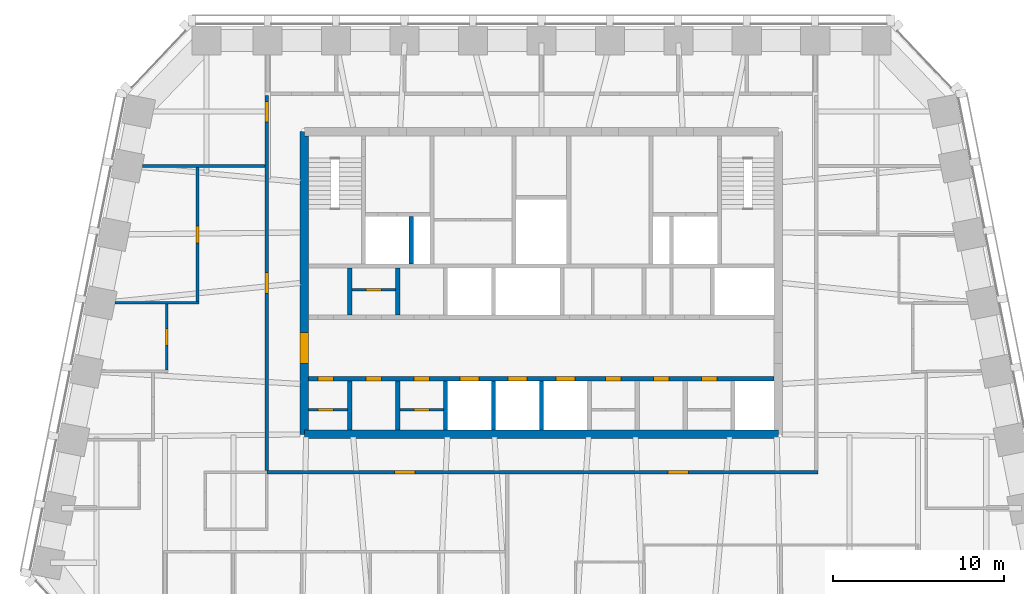
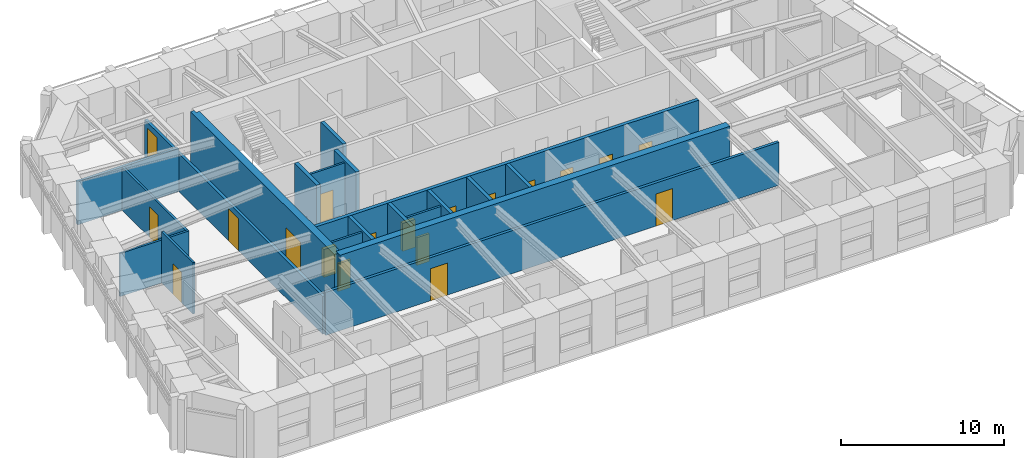
# One storey, part 5 of 11: 20 walls, 19 doors, 19 openings.
"""IFC4 building model written with IfcOpenShell, lengths in metres."""

from ifc_helpers import new_model, si_unit, direction, frame, frame_2d, origin, place, context, subcontext, project, spatial, polyline, rectangle, outline, extrude, material, layer, layer_set, type_object, element, fill, save


model = new_model("IFC4")

# Units and contexts
model_context = context("Model", 3, precision=1e-05, world=origin(), true_north=direction((0.0, 1.0)))
body_context = subcontext(model_context, "Body", "Model", "MODEL_VIEW")
ifc_project = project(units=[si_unit("LENGTHUNIT", "METRE"), si_unit("AREAUNIT", "SQUARE_METRE"), si_unit("VOLUMEUNIT", "CUBIC_METRE"), si_unit("PLANEANGLEUNIT", "RADIAN"), si_unit("MASSUNIT", "GRAM", prefix="KILO")], contexts=[model_context])

# Site, building, storey
site_placement = place(None, origin())
site = spatial("IfcSite", under=ifc_project, at=site_placement, CompositionType="ELEMENT")
building_placement = place(site_placement, origin())
building = spatial("IfcBuilding", under=site, at=building_placement, Name="Isbrekke Arena Tower", CompositionType="ELEMENT")
storey_placement = place(building_placement, frame((0.0, 0.0, 288.0)))
storey = spatial("IfcBuildingStorey", under=building, at=storey_placement, Name="L67", CompositionType="ELEMENT", Elevation=288.0)

# Wall
ifc_material_1 = material(Name="Concrete B55 (C55/67)", Category="concrete")
ifc_layer_1 = layer(ifc_material_1, 0.5)
ifc_layer_set_1 = layer_set([ifc_layer_1], Name="CW5 CORE WALL 500")
wall_type_1 = type_object("IfcWallType", Name="CW5 CORE WALL 500", PredefinedType="SHEAR", material=ifc_layer_set_1)
wall_1_placement = place(storey_placement, frame((-13.85009765625, 6.14990234375, 0.0), z_axis=(0.0, 0.0, 1.0), x_axis=(1.0, 0.0, 0.0)))
element("IfcWall", 1, at=wall_1_placement, inside=storey, type_object=wall_type_1, Name="Core wall S L67", PredefinedType="SHEAR", context=body_context, shape_type="SweptSolid", body=[
    extrude(rectangle(XDim=27.7001953125, YDim=0.5, at=frame_2d((13.85009765625, 0.0))), origin(), (0.0, 0.0, 1.0), 4.0),
])

# Wall, opening, door
wall_2_placement = place(storey_placement, frame((-13.85009765625, 23.85009765625, 0.0), z_axis=(0.0, 0.0, 1.0), x_axis=(0.0, -1.0, 0.0)))
wall_2 = element("IfcWall", 2, at=wall_2_placement, inside=storey, type_object=wall_type_1, Name="Core wall W L67", PredefinedType="SHEAR", context=body_context, shape_type="SweptSolid", body=[
    extrude(outline(polyline([(0.0, -0.25), (17.7001953125, -0.25), (17.7001953125, 0.0), (17.4501953125, 0.0), (17.4501953125, 0.25), (0.25, 0.25), (0.25, 0.0), (0.0, 0.0), (0.0, -0.25)])), origin(), (0.0, 0.0, 1.0), 4.0),
])
opening_1_placement = place(wall_2_placement, frame((11.75, 0.0, 0.0)))
opening_1 = element("IfcOpeningElement", 3, at=opening_1_placement, cuts=wall_2, Name="Opening D1", PredefinedType="OPENING", context=body_context, shape_type="SweptSolid", body=[
    extrude(rectangle(XDim=1.800048828125, YDim=2.39990234375, at=frame_2d((0.89990234375, 1.199951171875))), frame((0.0, 0.264892578125, 0.0), z_axis=(0.0, -1.0, 0.0), x_axis=(1.0, 0.0, 0.0)), (0.0, 0.0, 1.0), 0.52978515625),
])
ifc_material_2 = material(Name="Steel-framed glazed fire door", Category="steel")
door_type_1 = type_object("IfcDoorType", Name="D1 CORE LOBBY DOOR 1800 x 2400", OperationType="DOUBLE_DOOR_SINGLE_SWING", PredefinedType="DOOR", material=ifc_material_2)
door_1_placement = place(opening_1_placement, origin())
door_1 = element("IfcDoor", 4, at=door_1_placement, inside=storey, type_object=door_type_1, Name="D1 lift lobby door west L67", OperationType="DOUBLE_DOOR_SINGLE_SWING", OverallHeight=2.39990234375, OverallWidth=1.800048828125, PredefinedType="DOOR", context=body_context, shape_type="SweptSolid", body=[
    extrude(rectangle(XDim=1.800048828125, YDim=2.39990234375, at=frame_2d((0.89990234375, 1.199951171875))), frame((0.0, 0.249755859375, 0.0), z_axis=(0.0, -1.0, 0.0), x_axis=(1.0, 0.0, 0.0)), (0.0, 0.0, 1.0), 0.49951171875),
])
fill(opening_1, door_1)

# Wall, openings, doors
ifc_material_3 = material(Name="Concrete B45 (C45/55)", Category="concrete")
ifc_layer_2 = layer(ifc_material_3, 0.25)
ifc_layer_set_2 = layer_set([ifc_layer_2], Name="CW6 SHAFT WALL 250")
wall_type_2 = type_object("IfcWallType", Name="CW6 SHAFT WALL 250", PredefinedType="SHEAR", material=ifc_layer_set_2)
wall_3_placement = place(storey_placement, frame((-13.60009765625, 9.39990234375, 0.0), z_axis=(0.0, 0.0, 1.0), x_axis=(1.0, 0.0, 0.0)))
wall_3 = element("IfcWall", 5, at=wall_3_placement, inside=storey, type_object=wall_type_2, Name="Core wall LS L67", PredefinedType="SHEAR", context=body_context, shape_type="SweptSolid", body=[
    extrude(rectangle(XDim=27.2001953125, YDim=0.25, at=frame_2d((13.60009765625, 0.0))), origin(), (0.0, 0.0, 1.0), 4.0),
])
opening_2_placement = place(wall_3_placement, frame((8.85009765625, 0.0, 0.0)))
opening_2 = element("IfcOpeningElement", 6, at=opening_2_placement, cuts=wall_3, Name="Opening LD1", PredefinedType="OPENING", context=body_context, shape_type="SweptSolid", body=[
    extrude(rectangle(XDim=1.10009765625, YDim=2.10009765625, at=frame_2d((0.550048828125, 1.050048828125))), frame((0.0, 0.139892578125, 0.0), z_axis=(0.0, -1.0, 0.0), x_axis=(1.0, 0.0, 0.0)), (0.0, 0.0, 1.0), 0.27978515625),
])
opening_3_placement = place(wall_3_placement, frame((11.64990234375, 0.0, 0.0)))
opening_3 = element("IfcOpeningElement", 7, at=opening_3_placement, cuts=wall_3, Name="Opening LD1", PredefinedType="OPENING", context=body_context, shape_type="SweptSolid", body=[
    extrude(rectangle(XDim=1.10009765625, YDim=2.10009765625, at=frame_2d((0.550048828125, 1.050048828125))), frame((0.0, 0.139892578125, 0.0), z_axis=(0.0, -1.0, 0.0), x_axis=(1.0, 0.0, 0.0)), (0.0, 0.0, 1.0), 0.27978515625),
])
opening_4_placement = place(wall_3_placement, frame((14.449951171875, 0.0, 0.0)))
opening_4 = element("IfcOpeningElement", 8, at=opening_4_placement, cuts=wall_3, Name="Opening LD1", PredefinedType="OPENING", context=body_context, shape_type="SweptSolid", body=[
    extrude(rectangle(XDim=1.10009765625, YDim=2.10009765625, at=frame_2d((0.550048828125, 1.050048828125))), frame((0.0, 0.139892578125, 0.0), z_axis=(0.0, -1.0, 0.0), x_axis=(1.0, 0.0, 0.0)), (0.0, 0.0, 1.0), 0.27978515625),
])
opening_5_placement = place(wall_3_placement, frame((0.550048828125, 0.0, 0.0)))
opening_5 = element("IfcOpeningElement", 9, at=opening_5_placement, cuts=wall_3, Name="Opening D5", PredefinedType="OPENING", context=body_context, shape_type="SweptSolid", body=[
    extrude(rectangle(XDim=0.89990234375, YDim=2.10009765625, at=frame_2d((0.449951171875, 1.050048828125))), frame((0.0, 0.139892578125, 0.0), z_axis=(0.0, -1.0, 0.0), x_axis=(1.0, 0.0, 0.0)), (0.0, 0.0, 1.0), 0.27978515625),
])
opening_6_placement = place(wall_3_placement, frame((3.35009765625, 0.0, 0.0)))
opening_6 = element("IfcOpeningElement", 10, at=opening_6_placement, cuts=wall_3, Name="Opening D5", PredefinedType="OPENING", context=body_context, shape_type="SweptSolid", body=[
    extrude(rectangle(XDim=0.89990234375, YDim=2.10009765625, at=frame_2d((0.449951171875, 1.050048828125))), frame((0.0, 0.139892578125, 0.0), z_axis=(0.0, -1.0, 0.0), x_axis=(1.0, 0.0, 0.0)), (0.0, 0.0, 1.0), 0.27978515625),
])
opening_7_placement = place(wall_3_placement, frame((6.14990234375, 0.0, 0.0)))
opening_7 = element("IfcOpeningElement", 11, at=opening_7_placement, cuts=wall_3, Name="Opening D5", PredefinedType="OPENING", context=body_context, shape_type="SweptSolid", body=[
    extrude(rectangle(XDim=0.89990234375, YDim=2.10009765625, at=frame_2d((0.449951171875, 1.050048828125))), frame((0.0, 0.139892578125, 0.0), z_axis=(0.0, -1.0, 0.0), x_axis=(1.0, 0.0, 0.0)), (0.0, 0.0, 1.0), 0.27978515625),
])
opening_8_placement = place(wall_3_placement, frame((17.35009765625, 0.0, 0.0)))
opening_8 = element("IfcOpeningElement", 12, at=opening_8_placement, cuts=wall_3, Name="Opening D5", PredefinedType="OPENING", context=body_context, shape_type="SweptSolid", body=[
    extrude(rectangle(XDim=0.89990234375, YDim=2.10009765625, at=frame_2d((0.449951171875, 1.050048828125))), frame((0.0, 0.139892578125, 0.0), z_axis=(0.0, -1.0, 0.0), x_axis=(1.0, 0.0, 0.0)), (0.0, 0.0, 1.0), 0.27978515625),
])
opening_9_placement = place(wall_3_placement, frame((20.14990234375, 0.0, 0.0)))
opening_9 = element("IfcOpeningElement", 13, at=opening_9_placement, cuts=wall_3, Name="Opening D5", PredefinedType="OPENING", context=body_context, shape_type="SweptSolid", body=[
    extrude(rectangle(XDim=0.89990234375, YDim=2.10009765625, at=frame_2d((0.449951171875, 1.050048828125))), frame((0.0, 0.139892578125, 0.0), z_axis=(0.0, -1.0, 0.0), x_axis=(1.0, 0.0, 0.0)), (0.0, 0.0, 1.0), 0.27978515625),
])
opening_10_placement = place(wall_3_placement, frame((22.949951171875, 0.0, 0.0)))
opening_10 = element("IfcOpeningElement", 14, at=opening_10_placement, cuts=wall_3, Name="Opening D5", PredefinedType="OPENING", context=body_context, shape_type="SweptSolid", body=[
    extrude(rectangle(XDim=0.89990234375, YDim=2.10009765625, at=frame_2d((0.449951171875, 1.050048828125))), frame((0.0, 0.139892578125, 0.0), z_axis=(0.0, -1.0, 0.0), x_axis=(1.0, 0.0, 0.0)), (0.0, 0.0, 1.0), 0.27978515625),
])
ifc_material_4 = material(Name="Steel fire door", Category="steel")
door_type_2 = type_object("IfcDoorType", Name="D5 SERVICE DOOR 900 x 2100", OperationType="SINGLE_SWING_LEFT", PredefinedType="DOOR", material=ifc_material_4)
door_2_placement = place(opening_5_placement, origin())
door_2 = element("IfcDoor", 15, at=door_2_placement, inside=storey, type_object=door_type_2, Name="D5 first-aid room door L67", OperationType="SINGLE_SWING_LEFT", OverallHeight=2.10009765625, OverallWidth=0.89990234375, PredefinedType="DOOR", context=body_context, shape_type="SweptSolid", body=[
    extrude(rectangle(XDim=0.89990234375, YDim=2.10009765625, at=frame_2d((0.449951171875, 1.050048828125))), frame((0.0, 0.124755859375, 0.0), z_axis=(0.0, -1.0, 0.0), x_axis=(1.0, 0.0, 0.0)), (0.0, 0.0, 1.0), 0.24951171875),
])
fill(opening_5, door_2)
door_3_placement = place(opening_6_placement, origin())
door_3 = element("IfcDoor", 16, at=door_3_placement, inside=storey, type_object=door_type_2, Name="D5 tenant store door L67", OperationType="SINGLE_SWING_LEFT", OverallHeight=2.10009765625, OverallWidth=0.89990234375, PredefinedType="DOOR", context=body_context, shape_type="SweptSolid", body=[
    extrude(rectangle(XDim=0.89990234375, YDim=2.10009765625, at=frame_2d((0.449951171875, 1.050048828125))), frame((0.0, 0.124755859375, 0.0), z_axis=(0.0, -1.0, 0.0), x_axis=(1.0, 0.0, 0.0)), (0.0, 0.0, 1.0), 0.24951171875),
])
fill(opening_6, door_3)
door_4_placement = place(opening_7_placement, origin())
door_4 = element("IfcDoor", 17, at=door_4_placement, inside=storey, type_object=door_type_2, Name="D5 print room door L67", OperationType="SINGLE_SWING_LEFT", OverallHeight=2.10009765625, OverallWidth=0.89990234375, PredefinedType="DOOR", context=body_context, shape_type="SweptSolid", body=[
    extrude(rectangle(XDim=0.89990234375, YDim=2.10009765625, at=frame_2d((0.449951171875, 1.050048828125))), frame((0.0, 0.124755859375, 0.0), z_axis=(0.0, -1.0, 0.0), x_axis=(1.0, 0.0, 0.0)), (0.0, 0.0, 1.0), 0.24951171875),
])
fill(opening_7, door_4)
door_5_placement = place(opening_8_placement, origin())
door_5 = element("IfcDoor", 18, at=door_5_placement, inside=storey, type_object=door_type_2, Name="D5 mothers' room door L67", OperationType="SINGLE_SWING_LEFT", OverallHeight=2.10009765625, OverallWidth=0.89990234375, PredefinedType="DOOR", context=body_context, shape_type="SweptSolid", body=[
    extrude(rectangle(XDim=0.89990234375, YDim=2.10009765625, at=frame_2d((0.449951171875, 1.050048828125))), frame((0.0, 0.124755859375, 0.0), z_axis=(0.0, -1.0, 0.0), x_axis=(1.0, 0.0, 0.0)), (0.0, 0.0, 1.0), 0.24951171875),
])
fill(opening_8, door_5)
door_6_placement = place(opening_9_placement, origin())
door_6 = element("IfcDoor", 19, at=door_6_placement, inside=storey, type_object=door_type_2, Name="D5 print room door L67", OperationType="SINGLE_SWING_LEFT", OverallHeight=2.10009765625, OverallWidth=0.89990234375, PredefinedType="DOOR", context=body_context, shape_type="SweptSolid", body=[
    extrude(rectangle(XDim=0.89990234375, YDim=2.10009765625, at=frame_2d((0.449951171875, 1.050048828125))), frame((0.0, 0.124755859375, 0.0), z_axis=(0.0, -1.0, 0.0), x_axis=(1.0, 0.0, 0.0)), (0.0, 0.0, 1.0), 0.24951171875),
])
fill(opening_9, door_6)
door_7_placement = place(opening_10_placement, origin())
door_7 = element("IfcDoor", 20, at=door_7_placement, inside=storey, type_object=door_type_2, Name="D5 pantry door L67", OperationType="SINGLE_SWING_LEFT", OverallHeight=2.10009765625, OverallWidth=0.89990234375, PredefinedType="DOOR", context=body_context, shape_type="SweptSolid", body=[
    extrude(rectangle(XDim=0.89990234375, YDim=2.10009765625, at=frame_2d((0.449951171875, 1.050048828125))), frame((0.0, 0.124755859375, 0.0), z_axis=(0.0, -1.0, 0.0), x_axis=(1.0, 0.0, 0.0)), (0.0, 0.0, 1.0), 0.24951171875),
])
fill(opening_10, door_7)
ifc_material_5 = material(Name="Stainless steel lift landing door", Category="steel")
door_type_3 = type_object("IfcDoorType", Name="LD1 LIFT LANDING DOOR 1100 x 2100", OperationType="SLIDING_TO_LEFT", PredefinedType="DOOR", material=ifc_material_5)
door_8_placement = place(opening_2_placement, origin())
door_8 = element("IfcDoor", 21, at=door_8_placement, inside=storey, type_object=door_type_3, Name="LD1 lift landing door LE L67", OperationType="SLIDING_TO_LEFT", OverallHeight=2.10009765625, OverallWidth=1.10009765625, PredefinedType="DOOR", context=body_context, shape_type="SweptSolid", body=[
    extrude(rectangle(XDim=1.10009765625, YDim=2.10009765625, at=frame_2d((0.550048828125, 1.050048828125))), frame((0.0, 0.124755859375, 0.0), z_axis=(0.0, -1.0, 0.0), x_axis=(1.0, 0.0, 0.0)), (0.0, 0.0, 1.0), 0.24951171875),
])
fill(opening_2, door_8)
door_9_placement = place(opening_3_placement, origin())
door_9 = element("IfcDoor", 22, at=door_9_placement, inside=storey, type_object=door_type_3, Name="LD1 lift landing door LE L67", OperationType="SLIDING_TO_LEFT", OverallHeight=2.10009765625, OverallWidth=1.10009765625, PredefinedType="DOOR", context=body_context, shape_type="SweptSolid", body=[
    extrude(rectangle(XDim=1.10009765625, YDim=2.10009765625, at=frame_2d((0.550048828125, 1.050048828125))), frame((0.0, 0.124755859375, 0.0), z_axis=(0.0, -1.0, 0.0), x_axis=(1.0, 0.0, 0.0)), (0.0, 0.0, 1.0), 0.24951171875),
])
fill(opening_3, door_9)
door_10_placement = place(opening_4_placement, origin())
door_10 = element("IfcDoor", 23, at=door_10_placement, inside=storey, type_object=door_type_3, Name="LD1 lift landing door LE L67", OperationType="SLIDING_TO_LEFT", OverallHeight=2.10009765625, OverallWidth=1.10009765625, PredefinedType="DOOR", context=body_context, shape_type="SweptSolid", body=[
    extrude(rectangle(XDim=1.10009765625, YDim=2.10009765625, at=frame_2d((0.550048828125, 1.050048828125))), frame((0.0, 0.124755859375, 0.0), z_axis=(0.0, -1.0, 0.0), x_axis=(1.0, 0.0, 0.0)), (0.0, 0.0, 1.0), 0.24951171875),
])
fill(opening_4, door_10)

# Walls
for number, where, z_axis, x_axis, name in (
    (24, (-11.199951171875, 6.39990234375, 0.0), (0.0, 0.0, 1.0), (0.0, 1.0, 0.0), "Core wall SS01 L67"),
    (25, (-8.39990234375, 6.39990234375, 0.0), (0.0, 0.0, 1.0), (0.0, 1.0, 0.0), "Core wall SS02 L67"),
    (26, (-5.60009765625, 6.39990234375, 0.0), (0.0, 0.0, 1.0), (0.0, 1.0, 0.0), "Core wall SS03 L67"),
    (27, (-2.800048828125, 6.39990234375, 0.0), (0.0, 0.0, 1.0), (0.0, 1.0, 0.0), "Core wall SS04 L67"),
    (28, (0.0, 6.39990234375, 0.0), (0.0, 0.0, 1.0), (0.0, 1.0, 0.0), "Core wall SS05 L67"),
):
    element("IfcWall", number, at=place(storey_placement, frame(where, z_axis=z_axis, x_axis=x_axis)), inside=storey, type_object=wall_type_2, Name=name, PredefinedType="SHEAR", context=body_context, shape_type="SweptSolid", body=[
        extrude(rectangle(XDim=2.875, YDim=0.25, at=frame_2d((1.4375, 0.0))), origin(), (0.0, 0.0, 1.0), 4.0),
    ])
for number, where, z_axis, x_axis, name in (
    (29, (-11.199951171875, 13.125, 0.0), (0.0, 0.0, 1.0), (0.0, 1.0, 0.0), "Core wall SN01 L67"),
    (30, (-8.39990234375, 13.125, 0.0), (0.0, 0.0, 1.0), (0.0, 1.0, 0.0), "Core wall SN02 L67"),
    (31, (-7.60009765625, 16.125, 0.0), (0.0, 0.0, 1.0), (0.0, 1.0, 0.0), "Core wall NFS1 L67"),
):
    element("IfcWall", number, at=place(storey_placement, frame(where, z_axis=z_axis, x_axis=x_axis)), inside=storey, type_object=wall_type_2, Name=name, PredefinedType="SHEAR", context=body_context, shape_type="SweptSolid", body=[
        extrude(rectangle(XDim=2.75, YDim=0.25, at=frame_2d((1.375, 0.0))), origin(), (0.0, 0.0, 1.0), 4.0),
    ])
ifc_material_6 = material(Name="Gypsum board partition on steel studs", Category="steel")
ifc_layer_3 = layer(ifc_material_6, 0.14990234375)
ifc_layer_set_3 = layer_set([ifc_layer_3], Name="IW1 PARTITION 150")
wall_type_3 = type_object("IfcWallType", Name="IW1 PARTITION 150", PredefinedType="PARTITIONING", material=ifc_layer_set_3)
wall_4_placement = place(storey_placement, frame((-24.923828125, 13.840087890625, 0.0), z_axis=(0.0, 0.0, 1.0), x_axis=(1.0, 0.0, 0.0)))
element("IfcWall", 32, at=wall_4_placement, inside=storey, type_object=wall_type_3, Name="IW1 partition 150 L67", PredefinedType="PARTITIONING", context=body_context, shape_type="SweptSolid", body=[
    extrude(rectangle(XDim=4.89892578125, YDim=0.14990234375, at=frame_2d((2.449462890625, 0.0))), origin(), (0.0, 0.0, 1.0), 3.22998046875),
])

# Wall, opening, door
wall_5_placement = place(storey_placement, frame((-21.89990234375, 9.9150390625, 0.0), z_axis=(0.0, 0.0, 1.0), x_axis=(0.0, 1.0, 0.0)))
wall_5 = element("IfcWall", 33, at=wall_5_placement, inside=storey, type_object=wall_type_3, Name="IW1 partition 150 L67", PredefinedType="PARTITIONING", context=body_context, shape_type="SweptSolid", body=[
    extrude(rectangle(XDim=3.849853515625, YDim=0.14990234375, at=frame_2d((1.9248046875, 0.0))), origin(), (0.0, 0.0, 1.0), 3.85009765625),
])
opening_11_placement = place(wall_5_placement, frame((1.425048828125, 0.0, 0.0)))
opening_11 = element("IfcOpeningElement", 34, at=opening_11_placement, cuts=wall_5, Name="Opening D10", PredefinedType="OPENING", context=body_context, shape_type="SweptSolid", body=[
    extrude(rectangle(XDim=1.0, YDim=2.300048828125, at=frame_2d((0.5, 1.14990234375))), frame((0.0, 0.08984375, 0.0), z_axis=(0.0, -1.0, 0.0), x_axis=(1.0, 0.0, 0.0)), (0.0, 0.0, 1.0), 0.1796875),
])
ifc_material_7 = material(Name="Timber door", Category="wood")
door_type_4 = type_object("IfcDoorType", Name="D10 OFFICE DOOR 1000 x 2300", OperationType="SINGLE_SWING_LEFT", PredefinedType="DOOR", material=ifc_material_7)
door_11_placement = place(opening_11_placement, origin())
door_11 = element("IfcDoor", 35, at=door_11_placement, inside=storey, type_object=door_type_4, Name="D10 office door L67", OperationType="SINGLE_SWING_LEFT", OverallHeight=2.300048828125, OverallWidth=1.0, PredefinedType="DOOR", context=body_context, shape_type="SweptSolid", body=[
    extrude(rectangle(XDim=1.0, YDim=2.300048828125, at=frame_2d((0.5, 1.14990234375))), frame((0.0, 0.07470703125, 0.0), z_axis=(0.0, -1.0, 0.0), x_axis=(1.0, 0.0, 0.0)), (0.0, 0.0, 1.0), 0.1494140625),
])
fill(opening_11, door_11)

wall_6_placement = place(storey_placement, frame((-20.10009765625, 13.9150390625, 0.0), z_axis=(0.0, 0.0, 1.0), x_axis=(0.0, 1.0, 0.0)))
wall_6 = element("IfcWall", 36, at=wall_6_placement, inside=storey, type_object=wall_type_3, Name="IW1 partition 150 L67", PredefinedType="PARTITIONING", context=body_context, shape_type="SweptSolid", body=[
    extrude(rectangle(XDim=7.824951171875, YDim=0.14990234375, at=frame_2d((3.91259765625, 0.0))), origin(), (0.0, 0.0, 1.0), 3.22998046875),
])
opening_12_placement = place(wall_6_placement, frame((3.425048828125, 0.0, 0.0)))
opening_12 = element("IfcOpeningElement", 37, at=opening_12_placement, cuts=wall_6, Name="Opening D10", PredefinedType="OPENING", context=body_context, shape_type="SweptSolid", body=[
    extrude(rectangle(XDim=1.0, YDim=2.300048828125, at=frame_2d((0.5, 1.14990234375))), frame((0.0, 0.08984375, 0.0), z_axis=(0.0, -1.0, 0.0), x_axis=(1.0, 0.0, 0.0)), (0.0, 0.0, 1.0), 0.1796875),
])
door_12_placement = place(opening_12_placement, origin())
door_12 = element("IfcDoor", 38, at=door_12_placement, inside=storey, type_object=door_type_4, Name="D10 library door L67", OperationType="SINGLE_SWING_LEFT", OverallHeight=2.300048828125, OverallWidth=1.0, PredefinedType="DOOR", context=body_context, shape_type="SweptSolid", body=[
    extrude(rectangle(XDim=1.0, YDim=2.300048828125, at=frame_2d((0.5, 1.14990234375))), frame((0.0, 0.07470703125, 0.0), z_axis=(0.0, -1.0, 0.0), x_axis=(1.0, 0.0, 0.0)), (0.0, 0.0, 1.0), 0.1494140625),
])
fill(opening_12, door_12)

# Wall, openings, doors
ifc_material_8 = material(Name="Gypsum board fire-cell wall on steel studs, two layers each side", Category="steel")
ifc_layer_4 = layer(ifc_material_8, 0.199951171875)
ifc_layer_set_4 = layer_set([ifc_layer_4], Name="IW3 FIRE-CELL WALL 200")
wall_type_4 = type_object("IfcWallType", Name="IW3 FIRE-CELL WALL 200", PredefinedType="PARTITIONING", material=ifc_layer_set_4)
wall_7_placement = place(storey_placement, frame((-16.050048828125, 3.949951171875, 0.0), z_axis=(0.0, 0.0, 1.0), x_axis=(1.0, 0.0, 0.0)))
wall_7 = element("IfcWall", 39, at=wall_7_placement, inside=storey, type_object=wall_type_4, Name="IW3 fire-cell wall 200 L67", PredefinedType="PARTITIONING", context=body_context, shape_type="SweptSolid", body=[
    extrude(rectangle(XDim=32.199951171875, YDim=0.199951171875, at=frame_2d((16.10009765625, 0.0))), origin(), (0.0, 0.0, 1.0), 3.22998046875),
])
opening_13_placement = place(wall_7_placement, frame((7.449951171875, 0.0, 0.0)))
opening_13 = element("IfcOpeningElement", 40, at=opening_13_placement, cuts=wall_7, Name="Opening D12", PredefinedType="OPENING", context=body_context, shape_type="SweptSolid", body=[
    extrude(rectangle(XDim=1.199951171875, YDim=2.39990234375, at=frame_2d((0.60009765625, 1.199951171875))), frame((0.0, 0.11474609375, 0.0), z_axis=(0.0, -1.0, 0.0), x_axis=(1.0, 0.0, 0.0)), (0.0, 0.0, 1.0), 0.229736328125),
])
opening_14_placement = place(wall_7_placement, frame((23.449951171875, 0.0, 0.0)))
opening_14 = element("IfcOpeningElement", 41, at=opening_14_placement, cuts=wall_7, Name="Opening D12", PredefinedType="OPENING", context=body_context, shape_type="SweptSolid", body=[
    extrude(rectangle(XDim=1.199951171875, YDim=2.39990234375, at=frame_2d((0.60009765625, 1.199951171875))), frame((0.0, 0.11474609375, 0.0), z_axis=(0.0, -1.0, 0.0), x_axis=(1.0, 0.0, 0.0)), (0.0, 0.0, 1.0), 0.229736328125),
])
ifc_material_9 = material(Name="Timber fire door with vision panel", Category="wood")
door_type_5 = type_object("IfcDoorType", Name="D12 SUITE ENTRANCE DOOR 1200 x 2400", OperationType="SINGLE_SWING_LEFT", PredefinedType="DOOR", material=ifc_material_9)
door_13_placement = place(opening_13_placement, origin())
door_13 = element("IfcDoor", 42, at=door_13_placement, inside=storey, type_object=door_type_5, Name="D12 suite entrance W door L67", OperationType="SINGLE_SWING_LEFT", OverallHeight=2.39990234375, OverallWidth=1.199951171875, PredefinedType="DOOR", context=body_context, shape_type="SweptSolid", body=[
    extrude(rectangle(XDim=1.199951171875, YDim=2.39990234375, at=frame_2d((0.60009765625, 1.199951171875))), frame((0.0, 0.099609375, 0.0), z_axis=(0.0, -1.0, 0.0), x_axis=(1.0, 0.0, 0.0)), (0.0, 0.0, 1.0), 0.199462890625),
])
fill(opening_13, door_13)
door_14_placement = place(opening_14_placement, origin())
door_14 = element("IfcDoor", 43, at=door_14_placement, inside=storey, type_object=door_type_5, Name="D12 suite entrance E door L67", OperationType="SINGLE_SWING_LEFT", OverallHeight=2.39990234375, OverallWidth=1.199951171875, PredefinedType="DOOR", context=body_context, shape_type="SweptSolid", body=[
    extrude(rectangle(XDim=1.199951171875, YDim=2.39990234375, at=frame_2d((0.60009765625, 1.199951171875))), frame((0.0, 0.099609375, 0.0), z_axis=(0.0, -1.0, 0.0), x_axis=(1.0, 0.0, 0.0)), (0.0, 0.0, 1.0), 0.199462890625),
])
fill(opening_14, door_14)

# Wall
wall_8_placement = place(storey_placement, frame((-23.32373046875, 21.840087890625, 0.0), z_axis=(0.0, 0.0, 1.0), x_axis=(1.0, 0.0, 0.0)))
element("IfcWall", 44, at=wall_8_placement, inside=storey, type_object=wall_type_4, Name="IW3 fire-cell wall 200 L67", PredefinedType="PARTITIONING", context=body_context, shape_type="SweptSolid", body=[
    extrude(rectangle(XDim=7.173828125, YDim=0.199951171875, at=frame_2d((3.5869140625, 0.0))), origin(), (0.0, 0.0, 1.0), 3.22998046875),
])

# Wall, openings, doors
wall_9_placement = place(storey_placement, frame((-16.050048828125, 4.050048828125, 0.0), z_axis=(0.0, 0.0, 1.0), x_axis=(0.0, 1.0, 0.0)))
wall_9 = element("IfcWall", 45, at=wall_9_placement, inside=storey, type_object=wall_type_4, Name="IW3 fire-cell wall 200 L67", PredefinedType="PARTITIONING", context=body_context, shape_type="SweptSolid", body=[
    extrude(rectangle(XDim=21.89990234375, YDim=0.199951171875, at=frame_2d((10.949951171875, 0.0))), origin(), (0.0, 0.0, 1.0), 2.842041015625),
])
opening_15_placement = place(wall_9_placement, frame((20.35009765625, 0.0, 0.0)))
opening_15 = element("IfcOpeningElement", 46, at=opening_15_placement, cuts=wall_9, Name="Opening D12", PredefinedType="OPENING", context=body_context, shape_type="SweptSolid", body=[
    extrude(rectangle(XDim=1.199951171875, YDim=2.39990234375, at=frame_2d((0.60009765625, 1.199951171875))), frame((0.0, 0.11474609375, 0.0), z_axis=(0.0, -1.0, 0.0), x_axis=(1.0, 0.0, 0.0)), (0.0, 0.0, 1.0), 0.229736328125),
])
opening_16_placement = place(wall_9_placement, frame((10.35009765625, 0.0, 0.0)))
opening_16 = element("IfcOpeningElement", 47, at=opening_16_placement, cuts=wall_9, Name="Opening D12", PredefinedType="OPENING", context=body_context, shape_type="SweptSolid", body=[
    extrude(rectangle(XDim=1.199951171875, YDim=2.39990234375, at=frame_2d((0.60009765625, 1.199951171875))), frame((0.0, 0.11474609375, 0.0), z_axis=(0.0, -1.0, 0.0), x_axis=(1.0, 0.0, 0.0)), (0.0, 0.0, 1.0), 0.229736328125),
])
door_15_placement = place(opening_15_placement, origin())
door_15 = element("IfcDoor", 48, at=door_15_placement, inside=storey, type_object=door_type_5, Name="D12 suite entrance NCW door L67", OperationType="SINGLE_SWING_LEFT", OverallHeight=2.39990234375, OverallWidth=1.199951171875, PredefinedType="DOOR", context=body_context, shape_type="SweptSolid", body=[
    extrude(rectangle(XDim=1.199951171875, YDim=2.39990234375, at=frame_2d((0.60009765625, 1.199951171875))), frame((0.0, 0.099609375, 0.0), z_axis=(0.0, -1.0, 0.0), x_axis=(1.0, 0.0, 0.0)), (0.0, 0.0, 1.0), 0.199462890625),
])
fill(opening_15, door_15)
door_16_placement = place(opening_16_placement, origin())
door_16 = element("IfcDoor", 49, at=door_16_placement, inside=storey, type_object=door_type_5, Name="D12 suite entrance W door L67", OperationType="SINGLE_SWING_LEFT", OverallHeight=2.39990234375, OverallWidth=1.199951171875, PredefinedType="DOOR", context=body_context, shape_type="SweptSolid", body=[
    extrude(rectangle(XDim=1.199951171875, YDim=2.39990234375, at=frame_2d((0.60009765625, 1.199951171875))), frame((0.0, 0.099609375, 0.0), z_axis=(0.0, -1.0, 0.0), x_axis=(1.0, 0.0, 0.0)), (0.0, 0.0, 1.0), 0.199462890625),
])
fill(opening_16, door_16)

# Wall, opening, door
ifc_material_10 = material(Name="Gypsum board fire-rated partition on steel studs, two layers each side", Category="steel")
ifc_layer_5 = layer(ifc_material_10, 0.14990234375)
ifc_layer_set_5 = layer_set([ifc_layer_5], Name="IW5 FIRE-RATED PARTITION 150")
wall_type_5 = type_object("IfcWallType", Name="IW5 FIRE-RATED PARTITION 150", PredefinedType="PARTITIONING", material=ifc_layer_set_5)
wall_10_placement = place(storey_placement, frame((-11.074951171875, 14.60009765625, 0.0), z_axis=(0.0, 0.0, 1.0), x_axis=(1.0, 0.0, 0.0)))
wall_10 = element("IfcWall", 50, at=wall_10_placement, inside=storey, type_object=wall_type_5, Name="IW5 fire-rated partition L67 core service rooms 3", PredefinedType="PARTITIONING", context=body_context, shape_type="SweptSolid", body=[
    extrude(rectangle(XDim=2.550048828125, YDim=0.14990234375, at=frame_2d((1.27490234375, 0.0))), origin(), (0.0, 0.0, 1.0), 3.85009765625),
])
opening_17_placement = place(wall_10_placement, frame((0.824951171875, 0.0, 0.0)))
opening_17 = element("IfcOpeningElement", 51, at=opening_17_placement, cuts=wall_10, Name="Opening D5", PredefinedType="OPENING", context=body_context, shape_type="SweptSolid", body=[
    extrude(rectangle(XDim=0.89990234375, YDim=2.10009765625, at=frame_2d((0.449951171875, 1.050048828125))), frame((0.0, 0.08984375, 0.0), z_axis=(0.0, -1.0, 0.0), x_axis=(1.0, 0.0, 0.0)), (0.0, 0.0, 1.0), 0.1796875),
])
door_17_placement = place(opening_17_placement, origin())
door_17 = element("IfcDoor", 52, at=door_17_placement, inside=storey, type_object=door_type_2, Name="D5 tenant store door L67", OperationType="SINGLE_SWING_LEFT", OverallHeight=2.10009765625, OverallWidth=0.89990234375, PredefinedType="DOOR", context=body_context, shape_type="SweptSolid", body=[
    extrude(rectangle(XDim=0.89990234375, YDim=2.10009765625, at=frame_2d((0.449951171875, 1.050048828125))), frame((0.0, 0.07470703125, 0.0), z_axis=(0.0, -1.0, 0.0), x_axis=(1.0, 0.0, 0.0)), (0.0, 0.0, 1.0), 0.1494140625),
])
fill(opening_17, door_17)

wall_11_placement = place(storey_placement, frame((-13.60009765625, 7.60009765625, 0.0), z_axis=(0.0, 0.0, 1.0), x_axis=(1.0, 0.0, 0.0)))
wall_11 = element("IfcWall", 53, at=wall_11_placement, inside=storey, type_object=wall_type_5, Name="IW5 fire-rated partition L67 core service rooms 4", PredefinedType="PARTITIONING", context=body_context, shape_type="SweptSolid", body=[
    extrude(rectangle(XDim=2.275146484375, YDim=0.14990234375, at=frame_2d((1.1376953125, 0.0))), origin(), (0.0, 0.0, 1.0), 3.85009765625),
])
opening_18_placement = place(wall_11_placement, frame((0.550048828125, 0.0, 0.0)))
opening_18 = element("IfcOpeningElement", 54, at=opening_18_placement, cuts=wall_11, Name="Opening D5", PredefinedType="OPENING", context=body_context, shape_type="SweptSolid", body=[
    extrude(rectangle(XDim=0.89990234375, YDim=2.10009765625, at=frame_2d((0.449951171875, 1.050048828125))), frame((0.0, 0.08984375, 0.0), z_axis=(0.0, -1.0, 0.0), x_axis=(1.0, 0.0, 0.0)), (0.0, 0.0, 1.0), 0.1796875),
])
door_18_placement = place(opening_18_placement, origin())
door_18 = element("IfcDoor", 55, at=door_18_placement, inside=storey, type_object=door_type_2, Name="D5 store door L67", OperationType="SINGLE_SWING_LEFT", OverallHeight=2.10009765625, OverallWidth=0.89990234375, PredefinedType="DOOR", context=body_context, shape_type="SweptSolid", body=[
    extrude(rectangle(XDim=0.89990234375, YDim=2.10009765625, at=frame_2d((0.449951171875, 1.050048828125))), frame((0.0, 0.07470703125, 0.0), z_axis=(0.0, -1.0, 0.0), x_axis=(1.0, 0.0, 0.0)), (0.0, 0.0, 1.0), 0.1494140625),
])
fill(opening_18, door_18)

wall_12_placement = place(storey_placement, frame((-8.27490234375, 7.60009765625, 0.0), z_axis=(0.0, 0.0, 1.0), x_axis=(1.0, 0.0, 0.0)))
wall_12 = element("IfcWall", 56, at=wall_12_placement, inside=storey, type_object=wall_type_5, Name="IW5 fire-rated partition L67 core service rooms 5", PredefinedType="PARTITIONING", context=body_context, shape_type="SweptSolid", body=[
    extrude(rectangle(XDim=2.5498046875, YDim=0.14990234375, at=frame_2d((1.27490234375, 0.0))), origin(), (0.0, 0.0, 1.0), 3.85009765625),
])
opening_19_placement = place(wall_12_placement, frame((0.824951171875, 0.0, 0.0)))
opening_19 = element("IfcOpeningElement", 57, at=opening_19_placement, cuts=wall_12, Name="Opening D5", PredefinedType="OPENING", context=body_context, shape_type="SweptSolid", body=[
    extrude(rectangle(XDim=0.89990234375, YDim=2.10009765625, at=frame_2d((0.449951171875, 1.050048828125))), frame((0.0, 0.08984375, 0.0), z_axis=(0.0, -1.0, 0.0), x_axis=(1.0, 0.0, 0.0)), (0.0, 0.0, 1.0), 0.1796875),
])
door_19_placement = place(opening_19_placement, origin())
door_19 = element("IfcDoor", 58, at=door_19_placement, inside=storey, type_object=door_type_2, Name="D5 archive door L67", OperationType="SINGLE_SWING_LEFT", OverallHeight=2.10009765625, OverallWidth=0.89990234375, PredefinedType="DOOR", context=body_context, shape_type="SweptSolid", body=[
    extrude(rectangle(XDim=0.89990234375, YDim=2.10009765625, at=frame_2d((0.449951171875, 1.050048828125))), frame((0.0, 0.07470703125, 0.0), z_axis=(0.0, -1.0, 0.0), x_axis=(1.0, 0.0, 0.0)), (0.0, 0.0, 1.0), 0.1494140625),
])
fill(opening_19, door_19)

save(model, "model.ifc")
